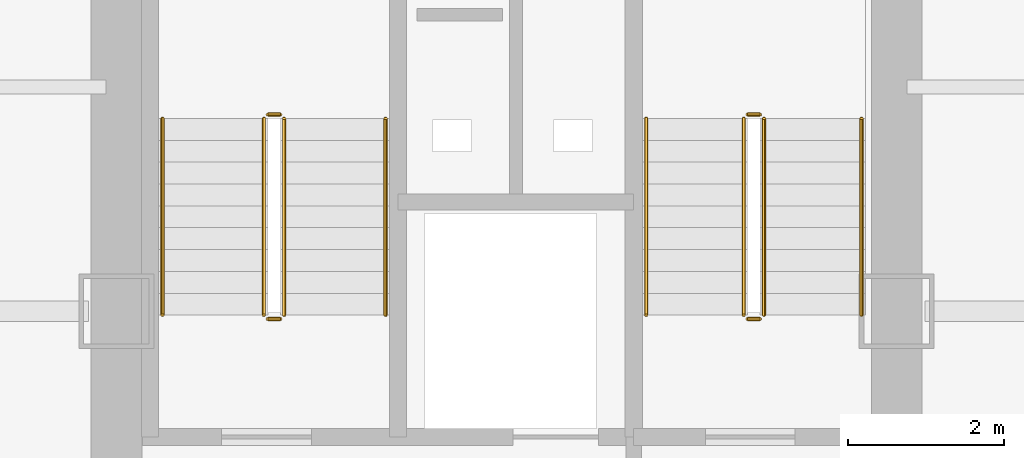
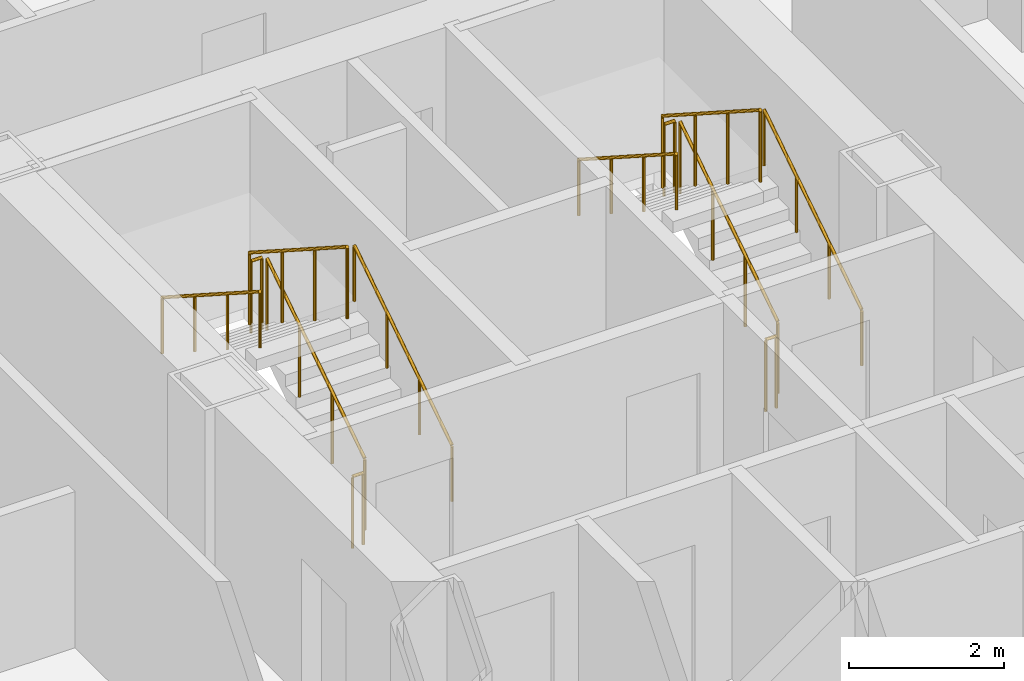
# One storey, part 21 of 22: 12 railings.
"""IFC4 building model written with IfcOpenShell, lengths in metres."""

from ifc_helpers import new_model, si_unit, direction, frame, origin, origin_2d, place, context, subcontext, project, spatial, circle, extrude, material, type_object, element, save


model = new_model("IFC4")

# Units and contexts
model_context = context("Model", 3, precision=1e-05, world=origin(), true_north=direction((0.0, 1.0)))
body_context = subcontext(model_context, "Body", "Model", "MODEL_VIEW")
ifc_project = project(units=[si_unit("LENGTHUNIT", "METRE"), si_unit("AREAUNIT", "SQUARE_METRE"), si_unit("VOLUMEUNIT", "CUBIC_METRE"), si_unit("PLANEANGLEUNIT", "RADIAN"), si_unit("MASSUNIT", "GRAM", prefix="KILO")], contexts=[model_context])

# Site, building, storey
site_placement = place(None, origin())
site = spatial("IfcSite", under=ifc_project, at=site_placement, CompositionType="ELEMENT")
building_placement = place(site_placement, origin())
building = spatial("IfcBuilding", under=site, at=building_placement, Name="Kolveth Station Tower", CompositionType="ELEMENT")
storey_placement = place(building_placement, frame((0.0, 0.0, 72.89990234375)))
storey = spatial("IfcBuildingStorey", under=building, at=storey_placement, Name="L19", CompositionType="ELEMENT", Elevation=72.89990234375)

# Railings
ifc_material_1 = material(Name="Painted Steel S355 balustrade", Category="steel")
railing_type_1 = type_object("IfcRailingType", Name="Guard_GR2", PredefinedType="BALUSTRADE", material=ifc_material_1)
railing_1_placement = place(storey_placement, frame((20.64990234375, 22.949951171875, 0.18017578125)))
element("IfcRailing", 1, at=railing_1_placement, inside=storey, type_object=railing_type_1, Name="L19 ST1 stair guard 1", PredefinedType="BALUSTRADE", context=body_context, shape_type="SweptSolid", body=[
    extrude(circle(Radius=0.02392578125, at=origin_2d()), frame((0.0, 0.0, 1.1259765625), z_axis=(0.0, 0.841199657755, 0.540724639528), x_axis=(-1.0, 0.0, 0.0)), (0.0, 0.0, 1.0), 2.995849609375),
    extrude(circle(Radius=0.02099609375, at=origin_2d()), origin(), (0.0, 0.0, 1.0), 1.101806640625),
    extrude(circle(Radius=0.02099609375, at=origin_2d()), frame((0.0, 0.840087890625, 0.5400390625)), (0.0, 0.0, 1.0), 1.101806640625),
    extrude(circle(Radius=0.02099609375, at=origin_2d()), frame((0.0, 1.679931640625, 1.079833984375)), (0.0, 0.0, 1.0), 1.101806640625),
    extrude(circle(Radius=0.02099609375, at=origin_2d()), frame((0.0, 2.52001953125, 1.619873046875)), (0.0, 0.0, 1.0), 1.101806640625),
])
railing_2_placement = place(storey_placement, frame((20.60009765625, 25.52001953125, 1.800048828125)))
element("IfcRailing", 2, at=railing_2_placement, inside=storey, type_object=railing_type_1, Name="L19 ST1 stair guard 2", PredefinedType="BALUSTRADE", context=body_context, shape_type="SweptSolid", body=[
    extrude(circle(Radius=0.02392578125, at=origin_2d()), frame((0.0, 0.0, 1.1259765625), z_axis=(-1.0, 0.0, 0.0), x_axis=(0.0, -1.0, 0.0)), (0.0, 0.0, 1.0), 0.16015625),
    extrude(circle(Radius=0.02099609375, at=origin_2d()), origin(), (0.0, 0.0, 1.0), 1.101806640625),
    extrude(circle(Radius=0.02099609375, at=origin_2d()), frame((-0.16015625, 0.0, 0.0)), (0.0, 0.0, 1.0), 1.101806640625),
])
railing_3_placement = place(storey_placement, frame((20.389892578125, 25.469970703125, 1.97998046875)))
element("IfcRailing", 3, at=railing_3_placement, inside=storey, type_object=railing_type_1, Name="L19 ST1 stair guard 3", PredefinedType="BALUSTRADE", context=body_context, shape_type="SweptSolid", body=[
    extrude(circle(Radius=0.02392578125, at=origin_2d()), frame((0.0, 0.0, 1.1259765625), z_axis=(0.0, -0.841162588446, 0.540782303519), x_axis=(1.0, 0.0, 0.0)), (0.0, 0.0, 1.0), 2.995849609375),
    extrude(circle(Radius=0.02099609375, at=origin_2d()), origin(), (0.0, 0.0, 1.0), 1.101806640625),
    extrude(circle(Radius=0.02099609375, at=origin_2d()), frame((0.0, -0.840087890625, 0.5400390625)), (0.0, 0.0, 1.0), 1.101806640625),
    extrude(circle(Radius=0.02099609375, at=origin_2d()), frame((0.0, -1.679931640625, 1.080078125)), (0.0, 0.0, 1.0), 1.101806640625),
    extrude(circle(Radius=0.02099609375, at=origin_2d()), frame((0.0, -2.52001953125, 1.6201171875)), (0.0, 0.0, 1.0), 1.101806640625),
])
railing_4_placement = place(storey_placement, frame((20.60009765625, 22.89990234375, 0.0)))
element("IfcRailing", 4, at=railing_4_placement, inside=storey, type_object=railing_type_1, Name="L19 ST1 stair guard 4", PredefinedType="BALUSTRADE", context=body_context, shape_type="SweptSolid", body=[
    extrude(circle(Radius=0.02392578125, at=origin_2d()), frame((0.0, 0.0, 1.1259765625), z_axis=(-1.0, 0.0, 0.0), x_axis=(0.0, -1.0, 0.0)), (0.0, 0.0, 1.0), 0.16015625),
    extrude(circle(Radius=0.02099609375, at=origin_2d()), origin(), (0.0, 0.0, 1.0), 1.101806640625),
    extrude(circle(Radius=0.02099609375, at=origin_2d()), frame((-0.16015625, 0.0, 0.0)), (0.0, 0.0, 1.0), 1.101806640625),
])
railing_5_placement = place(storey_placement, frame((26.800048828125, 22.949951171875, 0.18017578125)))
element("IfcRailing", 5, at=railing_5_placement, inside=storey, type_object=railing_type_1, Name="L19 ST2 stair guard 1", PredefinedType="BALUSTRADE", context=body_context, shape_type="SweptSolid", body=[
    extrude(circle(Radius=0.02392578125, at=origin_2d()), frame((0.0, 0.0, 1.1259765625), z_axis=(0.0, 0.841199657755, 0.540724639528), x_axis=(-1.0, 0.0, 0.0)), (0.0, 0.0, 1.0), 2.995849609375),
    extrude(circle(Radius=0.02099609375, at=origin_2d()), origin(), (0.0, 0.0, 1.0), 1.101806640625),
    extrude(circle(Radius=0.02099609375, at=origin_2d()), frame((0.0, 0.840087890625, 0.5400390625)), (0.0, 0.0, 1.0), 1.101806640625),
    extrude(circle(Radius=0.02099609375, at=origin_2d()), frame((0.0, 1.679931640625, 1.079833984375)), (0.0, 0.0, 1.0), 1.101806640625),
    extrude(circle(Radius=0.02099609375, at=origin_2d()), frame((0.0, 2.52001953125, 1.619873046875)), (0.0, 0.0, 1.0), 1.101806640625),
])
railing_6_placement = place(storey_placement, frame((26.75, 25.52001953125, 1.800048828125)))
element("IfcRailing", 6, at=railing_6_placement, inside=storey, type_object=railing_type_1, Name="L19 ST2 stair guard 2", PredefinedType="BALUSTRADE", context=body_context, shape_type="SweptSolid", body=[
    extrude(circle(Radius=0.02392578125, at=origin_2d()), frame((0.0, 0.0, 1.1259765625), z_axis=(-1.0, 0.0, 0.0), x_axis=(0.0, -1.0, 0.0)), (0.0, 0.0, 1.0), 0.159912109375),
    extrude(circle(Radius=0.02099609375, at=origin_2d()), origin(), (0.0, 0.0, 1.0), 1.101806640625),
    extrude(circle(Radius=0.02099609375, at=origin_2d()), frame((-0.159912109375, 0.0, 0.0)), (0.0, 0.0, 1.0), 1.101806640625),
])
railing_7_placement = place(storey_placement, frame((26.5400390625, 25.469970703125, 1.97998046875)))
element("IfcRailing", 7, at=railing_7_placement, inside=storey, type_object=railing_type_1, Name="L19 ST2 stair guard 3", PredefinedType="BALUSTRADE", context=body_context, shape_type="SweptSolid", body=[
    extrude(circle(Radius=0.02392578125, at=origin_2d()), frame((0.0, 0.0, 1.1259765625), z_axis=(0.0, -0.841162588446, 0.540782303519), x_axis=(1.0, 0.0, 0.0)), (0.0, 0.0, 1.0), 2.995849609375),
    extrude(circle(Radius=0.02099609375, at=origin_2d()), origin(), (0.0, 0.0, 1.0), 1.101806640625),
    extrude(circle(Radius=0.02099609375, at=origin_2d()), frame((0.0, -0.840087890625, 0.5400390625)), (0.0, 0.0, 1.0), 1.101806640625),
    extrude(circle(Radius=0.02099609375, at=origin_2d()), frame((0.0, -1.679931640625, 1.080078125)), (0.0, 0.0, 1.0), 1.101806640625),
    extrude(circle(Radius=0.02099609375, at=origin_2d()), frame((0.0, -2.52001953125, 1.6201171875)), (0.0, 0.0, 1.0), 1.101806640625),
])
railing_8_placement = place(storey_placement, frame((26.75, 22.89990234375, 0.0)))
element("IfcRailing", 8, at=railing_8_placement, inside=storey, type_object=railing_type_1, Name="L19 ST2 stair guard 4", PredefinedType="BALUSTRADE", context=body_context, shape_type="SweptSolid", body=[
    extrude(circle(Radius=0.02392578125, at=origin_2d()), frame((0.0, 0.0, 1.1259765625), z_axis=(-1.0, 0.0, 0.0), x_axis=(0.0, -1.0, 0.0)), (0.0, 0.0, 1.0), 0.159912109375),
    extrude(circle(Radius=0.02099609375, at=origin_2d()), origin(), (0.0, 0.0, 1.0), 1.101806640625),
    extrude(circle(Radius=0.02099609375, at=origin_2d()), frame((-0.159912109375, 0.0, 0.0)), (0.0, 0.0, 1.0), 1.101806640625),
])
ifc_material_2 = material(Name="Brushed stainless steel", Category="steel")
railing_type_2 = type_object("IfcRailingType", Name="Handrail_HR1", PredefinedType="HANDRAIL", material=ifc_material_2)
railing_9_placement = place(storey_placement, frame((21.949951171875, 22.949951171875, 0.18017578125)))
element("IfcRailing", 9, at=railing_9_placement, inside=storey, type_object=railing_type_2, Name="L19 ST1 stair handrail 1", PredefinedType="HANDRAIL", context=body_context, shape_type="SweptSolid", body=[
    extrude(circle(Radius=0.02392578125, at=origin_2d()), frame((0.0, 0.0, 0.8759765625), z_axis=(0.0, 0.841199657755, 0.540724639528), x_axis=(-1.0, 0.0, 0.0)), (0.0, 0.0, 1.0), 2.995849609375),
    extrude(circle(Radius=0.02099609375, at=origin_2d()), origin(), (0.0, 0.0, 1.0), 0.851806640625),
    extrude(circle(Radius=0.02099609375, at=origin_2d()), frame((0.0, 0.840087890625, 0.5400390625)), (0.0, 0.0, 1.0), 0.851806640625),
    extrude(circle(Radius=0.02099609375, at=origin_2d()), frame((0.0, 1.679931640625, 1.079833984375)), (0.0, 0.0, 1.0), 0.851806640625),
    extrude(circle(Radius=0.02099609375, at=origin_2d()), frame((0.0, 2.52001953125, 1.619873046875)), (0.0, 0.0, 1.0), 0.851806640625),
])
railing_10_placement = place(storey_placement, frame((19.090087890625, 25.469970703125, 1.97998046875)))
element("IfcRailing", 10, at=railing_10_placement, inside=storey, type_object=railing_type_2, Name="L19 ST1 stair handrail 2", PredefinedType="HANDRAIL", context=body_context, shape_type="SweptSolid", body=[
    extrude(circle(Radius=0.02392578125, at=origin_2d()), frame((0.0, 0.0, 0.8759765625), z_axis=(0.0, -0.841162588446, 0.540782303519), x_axis=(1.0, 0.0, 0.0)), (0.0, 0.0, 1.0), 2.995849609375),
    extrude(circle(Radius=0.02099609375, at=origin_2d()), origin(), (0.0, 0.0, 1.0), 0.851806640625),
    extrude(circle(Radius=0.02099609375, at=origin_2d()), frame((0.0, -0.840087890625, 0.5400390625)), (0.0, 0.0, 1.0), 0.851806640625),
    extrude(circle(Radius=0.02099609375, at=origin_2d()), frame((0.0, -1.679931640625, 1.080078125)), (0.0, 0.0, 1.0), 0.851806640625),
    extrude(circle(Radius=0.02099609375, at=origin_2d()), frame((0.0, -2.52001953125, 1.6201171875)), (0.0, 0.0, 1.0), 0.851806640625),
])
railing_11_placement = place(storey_placement, frame((28.050048828125, 22.949951171875, 0.18017578125)))
element("IfcRailing", 11, at=railing_11_placement, inside=storey, type_object=railing_type_2, Name="L19 ST2 stair handrail 1", PredefinedType="HANDRAIL", context=body_context, shape_type="SweptSolid", body=[
    extrude(circle(Radius=0.02392578125, at=origin_2d()), frame((0.0, 0.0, 0.8759765625), z_axis=(0.0, 0.841199657755, 0.540724639528), x_axis=(-1.0, 0.0, 0.0)), (0.0, 0.0, 1.0), 2.995849609375),
    extrude(circle(Radius=0.02099609375, at=origin_2d()), origin(), (0.0, 0.0, 1.0), 0.851806640625),
    extrude(circle(Radius=0.02099609375, at=origin_2d()), frame((0.0, 0.840087890625, 0.5400390625)), (0.0, 0.0, 1.0), 0.851806640625),
    extrude(circle(Radius=0.02099609375, at=origin_2d()), frame((0.0, 1.679931640625, 1.079833984375)), (0.0, 0.0, 1.0), 0.851806640625),
    extrude(circle(Radius=0.02099609375, at=origin_2d()), frame((0.0, 2.52001953125, 1.619873046875)), (0.0, 0.0, 1.0), 0.851806640625),
])
railing_12_placement = place(storey_placement, frame((25.2900390625, 25.469970703125, 1.97998046875)))
element("IfcRailing", 12, at=railing_12_placement, inside=storey, type_object=railing_type_2, Name="L19 ST2 stair handrail 2", PredefinedType="HANDRAIL", context=body_context, shape_type="SweptSolid", body=[
    extrude(circle(Radius=0.02392578125, at=origin_2d()), frame((0.0, 0.0, 0.8759765625), z_axis=(0.0, -0.841162588446, 0.540782303519), x_axis=(1.0, 0.0, 0.0)), (0.0, 0.0, 1.0), 2.995849609375),
    extrude(circle(Radius=0.02099609375, at=origin_2d()), origin(), (0.0, 0.0, 1.0), 0.851806640625),
    extrude(circle(Radius=0.02099609375, at=origin_2d()), frame((0.0, -0.840087890625, 0.5400390625)), (0.0, 0.0, 1.0), 0.851806640625),
    extrude(circle(Radius=0.02099609375, at=origin_2d()), frame((0.0, -1.679931640625, 1.080078125)), (0.0, 0.0, 1.0), 0.851806640625),
    extrude(circle(Radius=0.02099609375, at=origin_2d()), frame((0.0, -2.52001953125, 1.6201171875)), (0.0, 0.0, 1.0), 0.851806640625),
])

save(model, "model.ifc")
